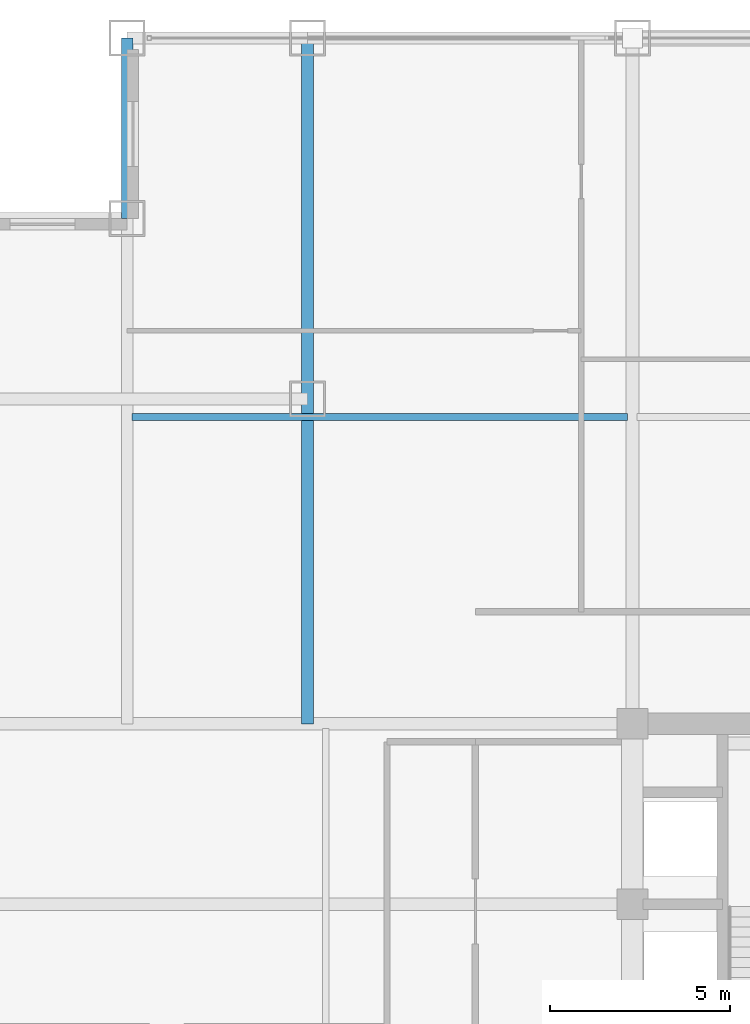
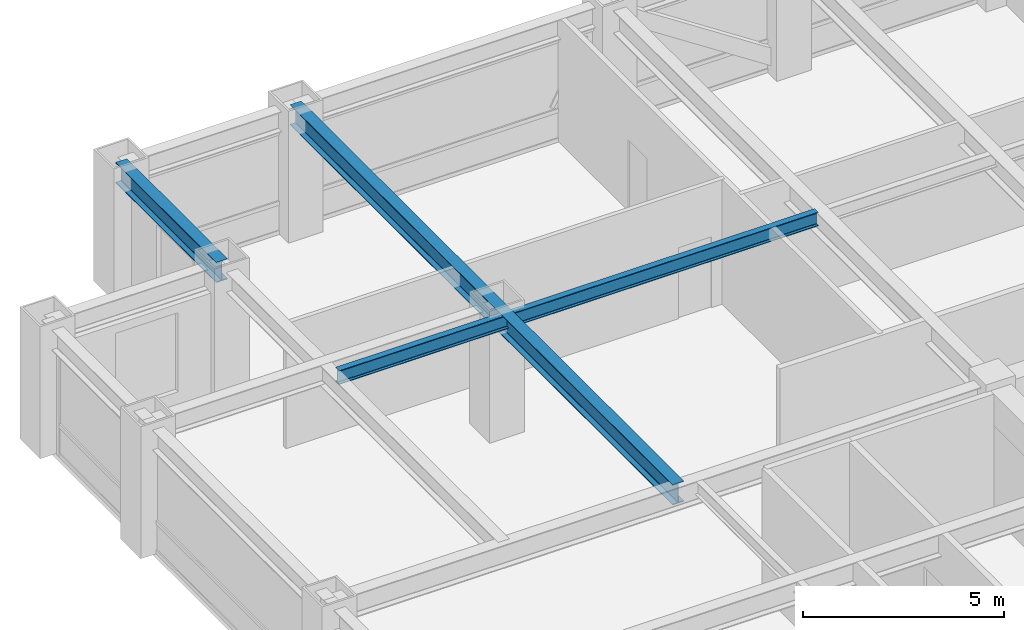
# One storey, part 13 of 25: 3 beams.
"""IFC4 building model written with IfcOpenShell, lengths in metres."""

import ifcopenshell
import ifcopenshell.guid

model = None  # the IFC model being written
_history = None  # IfcOwnerHistory: only IFC2X3 demands one
_inside = {}  # id of a spatial element -> (the spatial element, [elements in it])
_under = {}  # id of a project, library or spatial element -> (it, [spatial elements below it])
_declared = {}  # id of a project -> (the project, [libraries it declares])
_typed = {}  # id of a type object -> (the type object, [elements of that type])
_made_of = {}  # id of a material, layer set ... -> (it, [elements and type objects made of it])


def new_model(schema):
    """Start an empty IFC model of exactly this schema.

    Asked for "IFC4X3", IfcOpenShell would pick the latest addendum, in which some entities
    have other attributes; the version numbers below select the first issue.
    IFC2X3 requires an IfcOwnerHistory on every rooted entity: one is made here for all.
    """
    global model, _history
    if schema == "IFC4X3":
        model = ifcopenshell.file(schema_version=(4, 3, 0, 0))
    else:
        model = ifcopenshell.file(schema=schema)
    _inside.clear()
    _under.clear()
    _declared.clear()
    _typed.clear()
    _made_of.clear()
    _history = None
    if model.schema == "IFC2X3":
        org = make("IfcOrganization", Name="unknown")
        user = make(
            "IfcPersonAndOrganization",
            ThePerson=make("IfcPerson", FamilyName="unknown"),
            TheOrganization=org,
        )
        app = make(
            "IfcApplication",
            ApplicationDeveloper=org,
            Version="unknown",
            ApplicationFullName="unknown",
            ApplicationIdentifier="unknown",
        )
        _history = make(
            "IfcOwnerHistory",
            OwningUser=user,
            OwningApplication=app,
            ChangeAction="ADDED",
            CreationDate=0,
        )
    return model


def make(cls, **values):
    """One entity of the class cls with the attributes given. An attribute that is None is left unset."""
    return model.create_entity(
        cls, **{name: value for name, value in values.items() if value is not None}
    )


def rooted(cls, **values):
    """An entity with a GlobalId (a new one), such as an element, a storey or a relation."""
    return make(cls, GlobalId=ifcopenshell.guid.new(), OwnerHistory=_history, **values)


def si_unit(unit_type, name, prefix=None):
    """IfcSIUnit, for example si_unit("LENGTHUNIT", "METRE", prefix="MILLI")."""
    return make("IfcSIUnit", UnitType=unit_type, Prefix=prefix, Name=name)


def assignment(units):
    """IfcUnitAssignment: the units of a project."""
    return None if units is None else make("IfcUnitAssignment", Units=units)


def point(xyz):
    """IfcCartesianPoint."""
    return None if xyz is None else make("IfcCartesianPoint", Coordinates=xyz)


def direction(xyz):
    """IfcDirection."""
    return None if xyz is None else make("IfcDirection", DirectionRatios=xyz)


def frame(location, z_axis=None, x_axis=None):
    """IfcAxis2Placement3D, a coordinate frame: its origin and axes. An axis left out is left unset."""
    return make(
        "IfcAxis2Placement3D",
        Location=point(location),
        Axis=direction(z_axis),
        RefDirection=direction(x_axis),
    )


def frame_2d(location, x_axis=None):
    """IfcAxis2Placement2D, a coordinate frame in the plane: its origin and x axis."""
    return make(
        "IfcAxis2Placement2D", Location=point(location), RefDirection=direction(x_axis)
    )


def origin():
    """The frame at (0, 0, 0) with its axes left unset."""
    return frame((0.0, 0.0, 0.0))


def origin_2d():
    """The frame at (0, 0) in the plane with its x axis left unset."""
    return frame_2d((0.0, 0.0))


def place(relative_to, where):
    """IfcLocalPlacement: puts the frame where relative to a parent placement (None: the world)."""
    return make(
        "IfcLocalPlacement", PlacementRelTo=relative_to, RelativePlacement=where
    )


def context(
    kind, dimensions, precision=None, world=None, true_north=None, identifier=None
):
    """IfcGeometricRepresentationContext, for example the 3D "Model" context."""
    return make(
        "IfcGeometricRepresentationContext",
        ContextIdentifier=identifier,
        ContextType=kind,
        CoordinateSpaceDimension=dimensions,
        Precision=precision,
        WorldCoordinateSystem=world,
        TrueNorth=true_north,
    )


def subcontext(parent, identifier, kind, view, scale=None):
    """IfcGeometricRepresentationSubContext, for example "Body" below "Model"."""
    return make(
        "IfcGeometricRepresentationSubContext",
        ContextIdentifier=identifier,
        ContextType=kind,
        ParentContext=parent,
        TargetScale=scale,
        TargetView=view,
    )


def project(units=None, contexts=None):
    """IfcProject with its units and contexts."""
    return rooted(
        "IfcProject",
        Name="project",
        RepresentationContexts=contexts,
        UnitsInContext=assignment(units),
    )


def spatial(cls, under=None, at=None, **own):
    """A site, building, storey or space (cls), placed at a placement, below another one or the project."""
    s = rooted(cls, ObjectPlacement=at, **own)
    if under is not None:
        _under.setdefault(under.id(), (under, []))[1].append(s)
    return s


def profile(cls, at=None, kind="AREA", **sizes):
    """A parametric profile (cls). Its sizes go by their IFC names, for example OverallWidth=200.0."""
    return make(cls, ProfileType=kind, Position=at, **sizes)


def i_section(**sizes):
    """IfcIShapeProfileDef."""
    return profile("IfcIShapeProfileDef", **sizes)


def extrude(swept, where, along, depth):
    """IfcExtrudedAreaSolid: the profile swept, set in the frame where, extruded along a direction by depth."""
    return make(
        "IfcExtrudedAreaSolid",
        SweptArea=swept,
        Position=where,
        ExtrudedDirection=direction(along),
        Depth=depth,
    )


def shape(context_of_items, identifier, shape_type, items):
    """IfcShapeRepresentation: the items that make up one representation, for example the "Body"."""
    return make(
        "IfcShapeRepresentation",
        ContextOfItems=context_of_items,
        RepresentationIdentifier=identifier,
        RepresentationType=shape_type,
        Items=items,
    )


def source(mapping_origin, context_of_items, identifier, shape_type, items):
    """IfcRepresentationMap: a shape defined once, which mapped items show again and again."""
    return make(
        "IfcRepresentationMap",
        MappingOrigin=mapping_origin,
        MappedRepresentation=shape(context_of_items, identifier, shape_type, items),
    )


def transform(
    local_origin,
    x_axis=None,
    y_axis=None,
    z_axis=None,
    scale=None,
    scale2=None,
    scale3=None,
    uniform=True,
):
    """IfcCartesianTransformationOperator3D, or its non-uniform kind. x_axis, y_axis, z_axis: its Axis1, 2, 3."""
    if uniform:
        return make(
            "IfcCartesianTransformationOperator3D",
            Axis1=direction(x_axis),
            Axis2=direction(y_axis),
            LocalOrigin=point(local_origin),
            Scale=scale,
            Axis3=direction(z_axis),
        )
    return make(
        "IfcCartesianTransformationOperator3DnonUniform",
        Axis1=direction(x_axis),
        Axis2=direction(y_axis),
        LocalOrigin=point(local_origin),
        Scale=scale,
        Axis3=direction(z_axis),
        Scale2=scale2,
        Scale3=scale3,
    )


def mapped(mapping_source, mapping_target):
    """IfcMappedItem: shows the shape of a source again, moved by a transform."""
    return make(
        "IfcMappedItem", MappingSource=mapping_source, MappingTarget=mapping_target
    )


def material(Name=None, Category=None):
    """IfcMaterial."""
    return make("IfcMaterial", Name=Name, Category=Category)


def material_profile(
    of_material, cross_section, Name=None, Category=None, Priority=None
):
    """IfcMaterialProfile: a cross section and its material."""
    return make(
        "IfcMaterialProfile",
        Name=Name,
        Material=of_material,
        Profile=cross_section,
        Priority=Priority,
        Category=Category,
    )


def profile_set(profiles, Name=None, composite=None):
    """IfcMaterialProfileSet."""
    return make(
        "IfcMaterialProfileSet",
        Name=Name,
        MaterialProfiles=profiles,
        CompositeProfile=composite,
    )


def made_of(thing, what):
    """Note that an element or type object is made of a material, layer set ...; save() writes the relation."""
    if what is not None:
        _made_of.setdefault(what.id(), (what, []))[1].append(thing)
    return thing


def type_object(cls, material=None, **own):
    """A type object (cls), such as IfcWallType, which elements share."""
    return made_of(rooted(cls, **own), material)


def element(
    cls,
    number,
    at=None,
    inside=None,
    cuts=None,
    type_object=None,
    material=None,
    context=None,
    identifier="Body",
    shape_type=None,
    held_by="IfcProductDefinitionShape",
    body=None,
    shapes=None,
    **own,
):
    """One element of the class cls, such as IfcWall. Its Tag is "e" and its number.

    at: its placement. inside: the storey or other place that contains it. cuts: it is an
    opening in that element (IfcRelVoidsElement). A single representation is given by context,
    identifier, shape_type and body (its items); several are given by shapes. held_by: the class
    of the entity that holds the representations. save() writes the other relations.
    """
    e = rooted(cls, Tag="e%d" % number, ObjectPlacement=at, **own)
    if body is not None:
        shapes = [shape(context, identifier, shape_type, body)]
    if shapes is not None:
        e.Representation = make(held_by, Representations=shapes)
    if inside is not None:
        _inside.setdefault(inside.id(), (inside, []))[1].append(e)
    if cuts is not None:
        rooted(
            "IfcRelVoidsElement", RelatingBuildingElement=cuts, RelatedOpeningElement=e
        )
    if type_object is not None:
        _typed.setdefault(type_object.id(), (type_object, []))[1].append(e)
    return made_of(e, material)


def aggregate(whole, parts):
    """IfcRelAggregates: a whole, such as a stair, and the parts it consists of."""
    return rooted("IfcRelAggregates", RelatingObject=whole, RelatedObjects=parts)


def save(model, path):
    """Write the relations noted so far, then the file.

    IfcRelAggregates (storeys below a building ...), IfcRelContainedInSpatialStructure (elements
    in a storey), IfcRelDefinesByType, IfcRelAssociatesMaterial and IfcRelDeclares: one each for
    every whole, place, type object, material and project.
    """
    for whole, parts in _under.values():
        aggregate(whole, parts)
    for where, things in _inside.values():
        rooted(
            "IfcRelContainedInSpatialStructure",
            RelatedElements=things,
            RelatingStructure=where,
        )
    for kind, things in _typed.values():
        rooted("IfcRelDefinesByType", RelatedObjects=things, RelatingType=kind)
    for what, things in _made_of.values():
        rooted("IfcRelAssociatesMaterial", RelatedObjects=things, RelatingMaterial=what)
    for by, libraries in _declared.values():
        rooted("IfcRelDeclares", RelatingContext=by, RelatedDefinitions=libraries)
    model.write(path)


model = new_model("IFC4")

# Units and contexts
model_context = context("Model", 3, precision=1e-05, world=origin(), true_north=direction((0.0, 1.0)))
body_context = subcontext(model_context, "Body", "Model", "MODEL_VIEW")
ifc_project = project(units=[si_unit("LENGTHUNIT", "METRE"), si_unit("AREAUNIT", "SQUARE_METRE"), si_unit("VOLUMEUNIT", "CUBIC_METRE"), si_unit("PLANEANGLEUNIT", "RADIAN"), si_unit("MASSUNIT", "GRAM", prefix="KILO")], contexts=[model_context])

# Site, building, storey
site_placement = place(None, origin())
site = spatial("IfcSite", under=ifc_project, at=site_placement, CompositionType="ELEMENT")
building_placement = place(site_placement, origin())
building = spatial("IfcBuilding", under=site, at=building_placement, Name="Khorayat Bourse Tower", CompositionType="ELEMENT")
storey_placement = place(building_placement, frame((0.0, 0.0, 223.10009765625)))
storey = spatial("IfcBuildingStorey", under=building, at=storey_placement, Name="L52", CompositionType="ELEMENT", Elevation=223.10009765625)

# Beams
ifc_material = material(Name="Steel ASTM A992 Grade 50", Category="steel")
ifc_material_profile_1 = material_profile(ifc_material, i_section(OverallWidth=0.324951171875, OverallDepth=0.615966796875, WebThickness=0.013916015625, FlangeThickness=0.021484375, FilletRadius=0.01611328125, at=origin_2d()), Name="W610X174")
ifc_profile_set_1 = profile_set([ifc_material_profile_1], Name="Steel ASTM A992 Grade 50")
beam_type_1 = type_object("IfcBeamType", Name="BM-GIRD-610", PredefinedType="BEAM", material=ifc_profile_set_1)
shared_shape_1 = source(origin(), body_context, "Body", "SweptSolid", [
    extrude(i_section(OverallWidth=0.324951171875, OverallDepth=0.615966796875, WebThickness=0.013916015625, FlangeThickness=0.021484375, FilletRadius=0.01611328125, at=origin_2d()), origin(), (0.0, 0.0, 1.0), 19.0),
])
beam_1_placement = place(storey_placement, frame((-20.0, 11.0, 3.471923828125), z_axis=(0.0, 1.0, 0.0), x_axis=(-1.0, 0.0, 0.0)))
element("IfcBeam", 1, at=beam_1_placement, inside=storey, type_object=beam_type_1, Name="L52 BM-GIRD-610 BM-L52-CNRY-085", PredefinedType="BEAM", context=body_context, shape_type="MappedRepresentation", body=[
    mapped(shared_shape_1, transform((0.0, 0.0, 0.0), scale=1.0)),
])
ifc_material_profile_2 = material_profile(ifc_material, i_section(OverallWidth=0.324951171875, OverallDepth=0.615966796875, WebThickness=0.013916015625, FlangeThickness=0.021484375, FilletRadius=0.01611328125, at=origin_2d()), Name="W610X174")
ifc_profile_set_2 = profile_set([ifc_material_profile_2], Name="Steel ASTM A992 Grade 50")
beam_type_2 = type_object("IfcBeamType", Name="BM-SPAN-610", PredefinedType="SPANDREL", material=ifc_profile_set_2)
shared_shape_2 = source(origin(), body_context, "Body", "SweptSolid", [
    extrude(i_section(OverallWidth=0.324951171875, OverallDepth=0.615966796875, WebThickness=0.013916015625, FlangeThickness=0.021484375, FilletRadius=0.01611328125, at=origin_2d()), origin(), (0.0, 0.0, 1.0), 5.0),
])
beam_2_placement = place(storey_placement, frame((-25.0, 25.0, 3.471923828125), z_axis=(0.0, 1.0, 0.0), x_axis=(-1.0, 0.0, 0.0)))
element("IfcBeam", 2, at=beam_2_placement, inside=storey, type_object=beam_type_2, Name="L52 BM-SPAN-610 BM-L52-SPN-052", PredefinedType="SPANDREL", context=body_context, shape_type="MappedRepresentation", body=[
    mapped(shared_shape_2, transform((0.0, 0.0, 0.0), scale=1.0)),
])
ifc_material_profile_3 = material_profile(ifc_material, i_section(OverallWidth=0.180908203125, OverallDepth=0.4169921875, WebThickness=0.010986328125, FlangeThickness=0.018310546875, FilletRadius=0.011962890625, at=origin_2d()), Name="W410X85")
ifc_profile_set_3 = profile_set([ifc_material_profile_3], Name="Steel ASTM A992 Grade 50")
beam_type_3 = type_object("IfcBeamType", Name="BM-JOIST-410", PredefinedType="JOIST", material=ifc_profile_set_3)
shared_shape_3 = source(origin(), body_context, "Body", "SweptSolid", [
    extrude(i_section(OverallWidth=0.180908203125, OverallDepth=0.4169921875, WebThickness=0.010986328125, FlangeThickness=0.018310546875, FilletRadius=0.011962890625, at=origin_2d()), origin(), (0.0, 0.0, 1.0), 13.740234375),
])
beam_3_placement = place(storey_placement, frame((-24.8701171875, 19.5, 3.5712890625), z_axis=(1.0, 0.0, 0.0), x_axis=(0.0, 1.0, 0.0)))
element("IfcBeam", 3, at=beam_3_placement, inside=storey, type_object=beam_type_3, Name="L52 BM-JOIST-410 BM-L52-JSTX-099", PredefinedType="JOIST", context=body_context, shape_type="MappedRepresentation", body=[
    mapped(shared_shape_3, transform((0.0, 0.0, 0.0), scale=1.0)),
])

save(model, "model.ifc")
